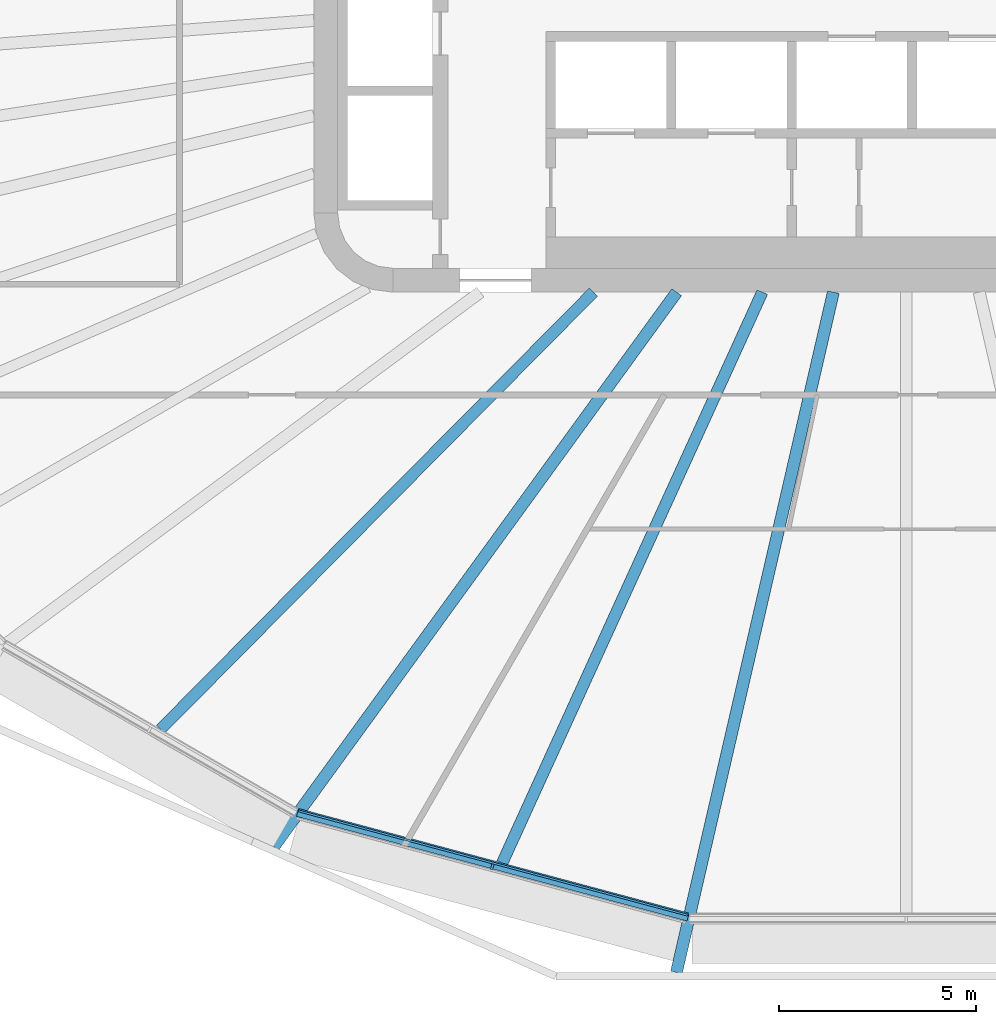
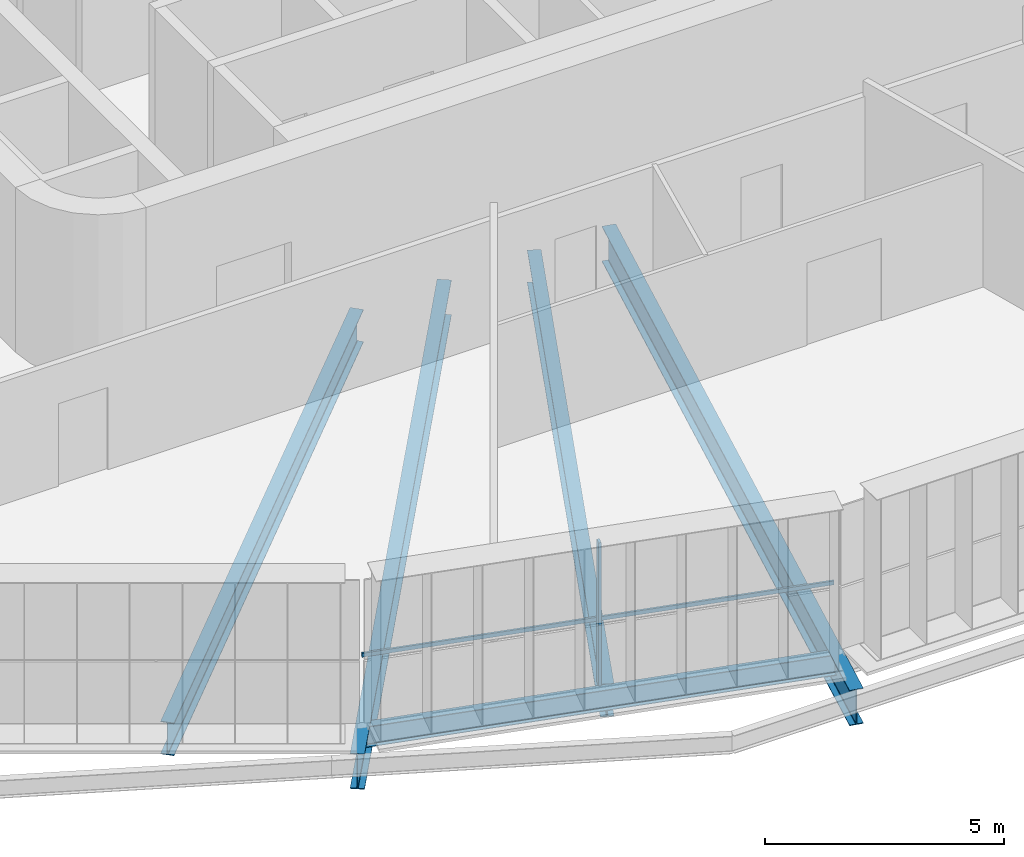
# One storey, part 2 of 26: 5 beams, 2 members, 1 element without a shape of its own.
"""IFC4 building model written with IfcOpenShell, lengths in metres."""

import ifcopenshell
import ifcopenshell.guid

model = None  # the IFC model being written
_history = None  # IfcOwnerHistory: only IFC2X3 demands one
_inside = {}  # id of a spatial element -> (the spatial element, [elements in it])
_under = {}  # id of a project, library or spatial element -> (it, [spatial elements below it])
_declared = {}  # id of a project -> (the project, [libraries it declares])
_typed = {}  # id of a type object -> (the type object, [elements of that type])
_made_of = {}  # id of a material, layer set ... -> (it, [elements and type objects made of it])


def new_model(schema):
    """Start an empty IFC model of exactly this schema.

    Asked for "IFC4X3", IfcOpenShell would pick the latest addendum, in which some entities
    have other attributes; the version numbers below select the first issue.
    IFC2X3 requires an IfcOwnerHistory on every rooted entity: one is made here for all.
    """
    global model, _history
    if schema == "IFC4X3":
        model = ifcopenshell.file(schema_version=(4, 3, 0, 0))
    else:
        model = ifcopenshell.file(schema=schema)
    _inside.clear()
    _under.clear()
    _declared.clear()
    _typed.clear()
    _made_of.clear()
    _history = None
    if model.schema == "IFC2X3":
        org = make("IfcOrganization", Name="unknown")
        user = make(
            "IfcPersonAndOrganization",
            ThePerson=make("IfcPerson", FamilyName="unknown"),
            TheOrganization=org,
        )
        app = make(
            "IfcApplication",
            ApplicationDeveloper=org,
            Version="unknown",
            ApplicationFullName="unknown",
            ApplicationIdentifier="unknown",
        )
        _history = make(
            "IfcOwnerHistory",
            OwningUser=user,
            OwningApplication=app,
            ChangeAction="ADDED",
            CreationDate=0,
        )
    return model


def make(cls, **values):
    """One entity of the class cls with the attributes given. An attribute that is None is left unset."""
    return model.create_entity(
        cls, **{name: value for name, value in values.items() if value is not None}
    )


def rooted(cls, **values):
    """An entity with a GlobalId (a new one), such as an element, a storey or a relation."""
    return make(cls, GlobalId=ifcopenshell.guid.new(), OwnerHistory=_history, **values)


def si_unit(unit_type, name, prefix=None):
    """IfcSIUnit, for example si_unit("LENGTHUNIT", "METRE", prefix="MILLI")."""
    return make("IfcSIUnit", UnitType=unit_type, Prefix=prefix, Name=name)


def assignment(units):
    """IfcUnitAssignment: the units of a project."""
    return None if units is None else make("IfcUnitAssignment", Units=units)


def point(xyz):
    """IfcCartesianPoint."""
    return None if xyz is None else make("IfcCartesianPoint", Coordinates=xyz)


def direction(xyz):
    """IfcDirection."""
    return None if xyz is None else make("IfcDirection", DirectionRatios=xyz)


def frame(location, z_axis=None, x_axis=None):
    """IfcAxis2Placement3D, a coordinate frame: its origin and axes. An axis left out is left unset."""
    return make(
        "IfcAxis2Placement3D",
        Location=point(location),
        Axis=direction(z_axis),
        RefDirection=direction(x_axis),
    )


def frame_2d(location, x_axis=None):
    """IfcAxis2Placement2D, a coordinate frame in the plane: its origin and x axis."""
    return make(
        "IfcAxis2Placement2D", Location=point(location), RefDirection=direction(x_axis)
    )


def origin():
    """The frame at (0, 0, 0) with its axes left unset."""
    return frame((0.0, 0.0, 0.0))


def origin_2d():
    """The frame at (0, 0) in the plane with its x axis left unset."""
    return frame_2d((0.0, 0.0))


def place(relative_to, where):
    """IfcLocalPlacement: puts the frame where relative to a parent placement (None: the world)."""
    return make(
        "IfcLocalPlacement", PlacementRelTo=relative_to, RelativePlacement=where
    )


def context(
    kind, dimensions, precision=None, world=None, true_north=None, identifier=None
):
    """IfcGeometricRepresentationContext, for example the 3D "Model" context."""
    return make(
        "IfcGeometricRepresentationContext",
        ContextIdentifier=identifier,
        ContextType=kind,
        CoordinateSpaceDimension=dimensions,
        Precision=precision,
        WorldCoordinateSystem=world,
        TrueNorth=true_north,
    )


def subcontext(parent, identifier, kind, view, scale=None):
    """IfcGeometricRepresentationSubContext, for example "Body" below "Model"."""
    return make(
        "IfcGeometricRepresentationSubContext",
        ContextIdentifier=identifier,
        ContextType=kind,
        ParentContext=parent,
        TargetScale=scale,
        TargetView=view,
    )


def project(units=None, contexts=None):
    """IfcProject with its units and contexts."""
    return rooted(
        "IfcProject",
        Name="project",
        RepresentationContexts=contexts,
        UnitsInContext=assignment(units),
    )


def spatial(cls, under=None, at=None, **own):
    """A site, building, storey or space (cls), placed at a placement, below another one or the project."""
    s = rooted(cls, ObjectPlacement=at, **own)
    if under is not None:
        _under.setdefault(under.id(), (under, []))[1].append(s)
    return s


def profile(cls, at=None, kind="AREA", **sizes):
    """A parametric profile (cls). Its sizes go by their IFC names, for example OverallWidth=200.0."""
    return make(cls, ProfileType=kind, Position=at, **sizes)


def rectangle(**sizes):
    """IfcRectangleProfileDef."""
    return profile("IfcRectangleProfileDef", **sizes)


def i_section(**sizes):
    """IfcIShapeProfileDef."""
    return profile("IfcIShapeProfileDef", **sizes)


def extrude(swept, where, along, depth):
    """IfcExtrudedAreaSolid: the profile swept, set in the frame where, extruded along a direction by depth."""
    return make(
        "IfcExtrudedAreaSolid",
        SweptArea=swept,
        Position=where,
        ExtrudedDirection=direction(along),
        Depth=depth,
    )


def shape(context_of_items, identifier, shape_type, items):
    """IfcShapeRepresentation: the items that make up one representation, for example the "Body"."""
    return make(
        "IfcShapeRepresentation",
        ContextOfItems=context_of_items,
        RepresentationIdentifier=identifier,
        RepresentationType=shape_type,
        Items=items,
    )


def material(Name=None, Category=None):
    """IfcMaterial."""
    return make("IfcMaterial", Name=Name, Category=Category)


def layer(
    of_material, thickness, ventilated=None, Name=None, Category=None, Priority=None
):
    """IfcMaterialLayer: one layer of a wall or slab, of a material (None: an air gap)."""
    return make(
        "IfcMaterialLayer",
        Material=of_material,
        LayerThickness=thickness,
        IsVentilated=ventilated,
        Name=Name,
        Category=Category,
        Priority=Priority,
    )


def layer_set(layers, Name=None):
    """IfcMaterialLayerSet."""
    return make("IfcMaterialLayerSet", MaterialLayers=layers, LayerSetName=Name)


def material_profile(
    of_material, cross_section, Name=None, Category=None, Priority=None
):
    """IfcMaterialProfile: a cross section and its material."""
    return make(
        "IfcMaterialProfile",
        Name=Name,
        Material=of_material,
        Profile=cross_section,
        Priority=Priority,
        Category=Category,
    )


def profile_set(profiles, Name=None, composite=None):
    """IfcMaterialProfileSet."""
    return make(
        "IfcMaterialProfileSet",
        Name=Name,
        MaterialProfiles=profiles,
        CompositeProfile=composite,
    )


def made_of(thing, what):
    """Note that an element or type object is made of a material, layer set ...; save() writes the relation."""
    if what is not None:
        _made_of.setdefault(what.id(), (what, []))[1].append(thing)
    return thing


def type_object(cls, material=None, **own):
    """A type object (cls), such as IfcWallType, which elements share."""
    return made_of(rooted(cls, **own), material)


def element(
    cls,
    number,
    at=None,
    inside=None,
    cuts=None,
    type_object=None,
    material=None,
    context=None,
    identifier="Body",
    shape_type=None,
    held_by="IfcProductDefinitionShape",
    body=None,
    shapes=None,
    **own,
):
    """One element of the class cls, such as IfcWall. Its Tag is "e" and its number.

    at: its placement. inside: the storey or other place that contains it. cuts: it is an
    opening in that element (IfcRelVoidsElement). A single representation is given by context,
    identifier, shape_type and body (its items); several are given by shapes. held_by: the class
    of the entity that holds the representations. save() writes the other relations.
    """
    e = rooted(cls, Tag="e%d" % number, ObjectPlacement=at, **own)
    if body is not None:
        shapes = [shape(context, identifier, shape_type, body)]
    if shapes is not None:
        e.Representation = make(held_by, Representations=shapes)
    if inside is not None:
        _inside.setdefault(inside.id(), (inside, []))[1].append(e)
    if cuts is not None:
        rooted(
            "IfcRelVoidsElement", RelatingBuildingElement=cuts, RelatedOpeningElement=e
        )
    if type_object is not None:
        _typed.setdefault(type_object.id(), (type_object, []))[1].append(e)
    return made_of(e, material)


def aggregate(whole, parts):
    """IfcRelAggregates: a whole, such as a stair, and the parts it consists of."""
    return rooted("IfcRelAggregates", RelatingObject=whole, RelatedObjects=parts)


def save(model, path):
    """Write the relations noted so far, then the file.

    IfcRelAggregates (storeys below a building ...), IfcRelContainedInSpatialStructure (elements
    in a storey), IfcRelDefinesByType, IfcRelAssociatesMaterial and IfcRelDeclares: one each for
    every whole, place, type object, material and project.
    """
    for whole, parts in _under.values():
        aggregate(whole, parts)
    for where, things in _inside.values():
        rooted(
            "IfcRelContainedInSpatialStructure",
            RelatedElements=things,
            RelatingStructure=where,
        )
    for kind, things in _typed.values():
        rooted("IfcRelDefinesByType", RelatedObjects=things, RelatingType=kind)
    for what, things in _made_of.values():
        rooted("IfcRelAssociatesMaterial", RelatedObjects=things, RelatingMaterial=what)
    for by, libraries in _declared.values():
        rooted("IfcRelDeclares", RelatingContext=by, RelatedDefinitions=libraries)
    model.write(path)


model = new_model("IFC4")

# Units and contexts
model_context = context("Model", 3, precision=1e-05, world=origin(), true_north=direction((0.0, 1.0)))
body_context = subcontext(model_context, "Body", "Model", "MODEL_VIEW")
ifc_project = project(units=[si_unit("LENGTHUNIT", "METRE"), si_unit("AREAUNIT", "SQUARE_METRE"), si_unit("VOLUMEUNIT", "CUBIC_METRE"), si_unit("PLANEANGLEUNIT", "RADIAN"), si_unit("MASSUNIT", "GRAM", prefix="KILO")], contexts=[model_context])

# Site, building, storey
site_placement = place(None, origin())
site = spatial("IfcSite", under=ifc_project, at=site_placement, CompositionType="ELEMENT")
building_placement = place(site_placement, origin())
building = spatial("IfcBuilding", under=site, at=building_placement, Name="Sahrelin Media Tower", CompositionType="ELEMENT")
storey_placement = place(building_placement, frame((0.0, 0.0, 102.0)))
storey = spatial("IfcBuildingStorey", under=building, at=storey_placement, Name="L19", CompositionType="ELEMENT", Elevation=102.0)

# Beam
ifc_material_1 = material(Name="Steel S355", Category="steel")
ifc_material_profile_1 = material_profile(ifc_material_1, i_section(OverallWidth=0.208740234375, OverallDepth=0.5283203125, WebThickness=0.009521484375, FlangeThickness=0.01318359375, FilletRadius=0.0126953125, at=origin_2d()), Name="UB 533x210x82")
ifc_profile_set_1 = profile_set([ifc_material_profile_1], Name="Steel S355")
beam_type_1 = type_object("IfcBeamType", Name="Edge beam EB6", PredefinedType="BEAM", material=ifc_profile_set_1)
beam_1_placement = place(storey_placement, frame((-5.525146484375, -23.8232421875, -0.414306640625), z_axis=(-0.965929419345, 0.258805635261, 0.0), x_axis=(-0.258805635261, -0.965929419345, 0.0)))
element("IfcBeam", 1, at=beam_1_placement, inside=storey, type_object=beam_type_1, Name="Edge beam L19-08", PredefinedType="BEAM", context=body_context, shape_type="SweptSolid", body=[
    extrude(i_section(OverallWidth=0.208740234375, OverallDepth=0.5283203125, WebThickness=0.009521484375, FlangeThickness=0.01318359375, FilletRadius=0.0126953125, at=origin_2d()), origin(), (0.0, 0.0, 1.0), 10.235107421875),
])

# Curtain wall, member
ifc_material_2 = material(Name="Champagne anodised aluminium 6063-T6", Category="aluminium")
ifc_layer = layer(ifc_material_2, 0.14990234375)
ifc_layer_set = layer_set([ifc_layer], Name="Tower ribbon curtain wall")
curtain_wall_type = type_object("IfcCurtainWallType", Name="Tower ribbon curtain wall", PredefinedType="NOTDEFINED", material=ifc_layer_set)
curtain_wall_placement = place(storey_placement, frame((-10.507080078125, -22.643798828125, 0.0), z_axis=(0.0, 0.0, 1.0), x_axis=(1.0, 0.0, 0.0)))
curtain_wall = element("IfcCurtainWall", 2, at=curtain_wall_placement, inside=storey, type_object=curtain_wall_type, Name="L19:CW:L19-17", PredefinedType="NOTDEFINED")
ifc_material_profile_2 = material_profile(ifc_material_2, rectangle(XDim=0.06005859375, YDim=0.14990234375, at=origin_2d()), Name="Mullion 60x150")
ifc_profile_set_2 = profile_set([ifc_material_profile_2], Name="Champagne anodised aluminium 6063-T6")
member_type_1 = type_object("IfcMemberType", Name="Mullion 60x150 CW1", PredefinedType="MULLION", material=ifc_profile_set_2)
member_1_placement = place(storey_placement, frame((-10.482666015625, -22.552001953125, 0.0), z_axis=(0.0, 0.0, 1.0), x_axis=(0.965926278012, -0.258817359244, 0.0)))
member_1 = element("IfcMember", 3, at=member_1_placement, type_object=member_type_1, Name="L19:CWM:L19-17", PredefinedType="MULLION", context=body_context, shape_type="SweptSolid", body=[
    extrude(rectangle(XDim=0.06005859375, YDim=0.14990234375, at=origin_2d()), origin(), (0.0, 0.0, 1.0), 3.648681640625),
])

# Beams
ifc_material_profile_3 = material_profile(ifc_material_1, i_section(OverallWidth=0.30322265625, OverallDepth=0.903076171875, WebThickness=0.01513671875, FlangeThickness=0.020263671875, FilletRadius=0.01904296875, at=origin_2d()), Name="UB 914x305x201")
ifc_profile_set_3 = profile_set([ifc_material_profile_3], Name="Steel S355")
beam_type_2 = type_object("IfcBeamType", Name="Radial primary beam PB11", PredefinedType="BEAM", material=ifc_profile_set_3)
beam_2_placement = place(storey_placement, frame((-5.8125, -8.0, -0.6015625), z_axis=(-0.587811216872, -0.808998129367, 0.0), x_axis=(0.808998129367, -0.587811216872, 0.0)))
element("IfcBeam", 4, at=beam_2_placement, inside=storey, type_object=beam_type_2, Name="Radial beam L19-17", PredefinedType="BEAM", context=body_context, shape_type="SweptSolid", body=[
    extrude(i_section(OverallWidth=0.30322265625, OverallDepth=0.903076171875, WebThickness=0.01513671875, FlangeThickness=0.020263671875, FilletRadius=0.01904296875, at=origin_2d()), origin(), (0.0, 0.0, 1.0), 17.359130859375),
])
beam_3_placement = place(storey_placement, frame((-1.845458984375, -8.0, -0.6015625), z_axis=(-0.224765702956, -0.974412837957, 0.0), x_axis=(0.974412837957, -0.224765702956, 0.0)))
element("IfcBeam", 5, at=beam_3_placement, inside=storey, type_object=beam_type_2, Name="Radial beam L19-18", PredefinedType="BEAM", context=body_context, shape_type="SweptSolid", body=[
    extrude(i_section(OverallWidth=0.30322265625, OverallDepth=0.903076171875, WebThickness=0.01513671875, FlangeThickness=0.020263671875, FilletRadius=0.01904296875, at=origin_2d()), origin(), (0.0, 0.0, 1.0), 17.677978515625),
])
ifc_material_profile_4 = material_profile(ifc_material_1, i_section(OverallWidth=0.291748046875, OverallDepth=0.8349609375, WebThickness=0.013916015625, FlangeThickness=0.018798828125, FilletRadius=0.017822265625, at=origin_2d()), Name="UB 838x292x176")
ifc_profile_set_4 = profile_set([ifc_material_profile_4], Name="Steel S355")
beam_type_3 = type_object("IfcBeamType", Name="Radial secondary beam SB10", PredefinedType="BEAM", material=ifc_profile_set_4)
beam_4_placement = place(storey_placement, frame((-7.92138671875, -8.0, -0.5673828125), z_axis=(-0.703602310212, -0.7105939692, 0.0), x_axis=(0.7105939692, -0.703602310212, 0.0)))
element("IfcBeam", 6, at=beam_4_placement, inside=storey, type_object=beam_type_3, Name="Secondary beam L19-16", PredefinedType="BEAM", context=body_context, shape_type="SweptSolid", body=[
    extrude(i_section(OverallWidth=0.291748046875, OverallDepth=0.8349609375, WebThickness=0.013916015625, FlangeThickness=0.018798828125, FilletRadius=0.017822265625, at=origin_2d()), origin(), (0.0, 0.0, 1.0), 15.57373046875),
])
beam_5_placement = place(storey_placement, frame((-3.64501953125, -8.0, -0.5673828125), z_axis=(-0.414626132753, -0.909991851633, 0.0), x_axis=(0.909991851633, -0.414626132753, 0.0)))
element("IfcBeam", 7, at=beam_5_placement, inside=storey, type_object=beam_type_3, Name="Secondary beam L19-17", PredefinedType="BEAM", context=body_context, shape_type="SweptSolid", body=[
    extrude(i_section(OverallWidth=0.291748046875, OverallDepth=0.8349609375, WebThickness=0.013916015625, FlangeThickness=0.018798828125, FilletRadius=0.017822265625, at=origin_2d()), origin(), (0.0, 0.0, 1.0), 15.884033203125),
])

# Member
ifc_material_profile_5 = material_profile(ifc_material_2, rectangle(XDim=0.050048828125, YDim=0.10009765625, at=origin_2d()), Name="Transom 50x100")
ifc_profile_set_5 = profile_set([ifc_material_profile_5], Name="Champagne anodised aluminium 6063-T6")
member_type_2 = type_object("IfcMemberType", Name="Transom 50x100 CW1", PredefinedType="USERDEFINED", material=ifc_profile_set_5)
member_2_placement = place(storey_placement, frame((-15.384765625, -21.135009765625, 1.60009765625), z_axis=(0.965926477685, -0.258816614048, 0.0), x_axis=(0.258816614048, 0.965926477685, 0.0)))
member_2 = element("IfcMember", 8, at=member_2_placement, type_object=member_type_2, Name="L19:CWT:L19-17", ObjectType="TRANSOM", PredefinedType="USERDEFINED", context=body_context, shape_type="SweptSolid", body=[
    extrude(rectangle(XDim=0.050048828125, YDim=0.10009765625, at=origin_2d()), origin(), (0.0, 0.0, 1.0), 10.20361328125),
])

aggregate(curtain_wall, [member_1, member_2])

save(model, "model.ifc")
